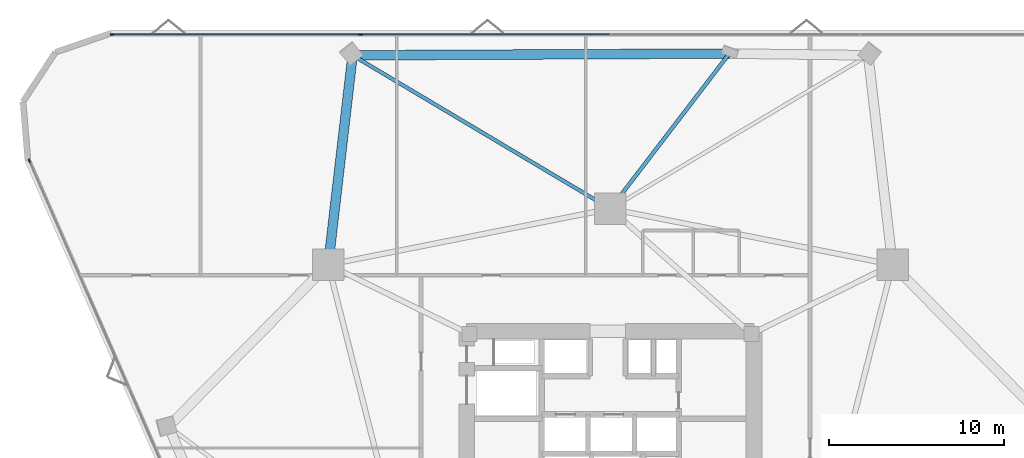
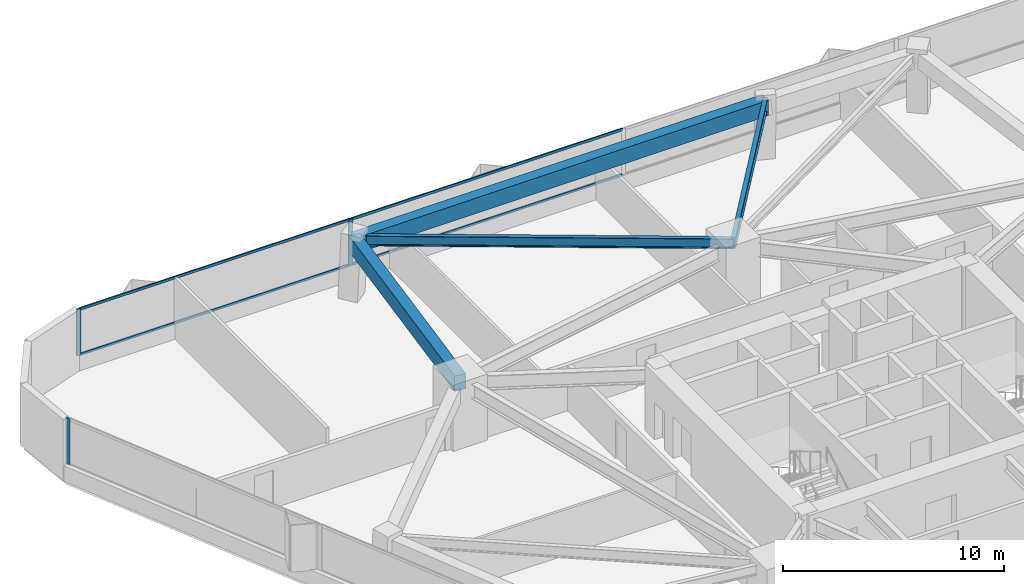
# One storey, part 7 of 14: 7 members, 4 beams, 2 elements without a shape of their own.
"""IFC4 building model written with IfcOpenShell, lengths in metres."""

from ifc_helpers import new_model, si_unit, direction, frame, origin, origin_2d, place, context, subcontext, project, spatial, rectangle, i_section, extrude, material, layer, layer_set, material_profile, profile_set, type_object, element, aggregate, save


model = new_model("IFC4")

# Units and contexts
model_context = context("Model", 3, precision=1e-05, world=origin(), true_north=direction((0.0, 1.0)))
body_context = subcontext(model_context, "Body", "Model", "MODEL_VIEW")
ifc_project = project(units=[si_unit("LENGTHUNIT", "METRE"), si_unit("AREAUNIT", "SQUARE_METRE"), si_unit("VOLUMEUNIT", "CUBIC_METRE"), si_unit("PLANEANGLEUNIT", "RADIAN"), si_unit("MASSUNIT", "GRAM", prefix="KILO")], contexts=[model_context])

# Site, building, storey
site_placement = place(None, origin())
site = spatial("IfcSite", under=ifc_project, at=site_placement, CompositionType="ELEMENT")
building_placement = place(site_placement, origin())
building = spatial("IfcBuilding", under=site, at=building_placement, Name="Talyreon Biosciences Tower", CompositionType="ELEMENT")
storey_placement = place(building_placement, frame((0.0, 0.0, 48.35009765625)))
storey = spatial("IfcBuildingStorey", under=building, at=storey_placement, Name="L12", CompositionType="ELEMENT", Elevation=48.35009765625)

# Curtain wall, members
ifc_material_1 = material(Name="Thermally broken aluminium and low-E glazing", Category="aluminium")
ifc_layer = layer(ifc_material_1, 0.205078125)
ifc_layer_set = layer_set([ifc_layer], Name="Thermally broken aluminium and low-E glazing")
curtain_wall_type = type_object("IfcCurtainWallType", Name="CurtainWall_SkyGardenLoggia", PredefinedType="NOTDEFINED", material=ifc_layer_set)
curtain_wall_1_placement = place(storey_placement, origin())
curtain_wall_1 = element("IfcCurtainWall", 1, at=curtain_wall_1_placement, inside=storey, type_object=curtain_wall_type, Name="L12 Unitised Curtain Wall FCW-L12-03", PredefinedType="NOTDEFINED")
ifc_material_2 = material(Name="Anodised thermally broken aluminium", Category="aluminium")
ifc_material_profile_1 = material_profile(ifc_material_2, rectangle(XDim=0.074951171875, YDim=0.2099609375, at=origin_2d()), Name="ALUM MULLION 75x210")
ifc_profile_set_1 = profile_set([ifc_material_profile_1], Name="Anodised thermally broken aluminium")
member_type_1 = type_object("IfcMemberType", Name="CWMullion_75x210", PredefinedType="MULLION", material=ifc_profile_set_1)
member_1_placement = place(storey_placement, frame((37.556640625, 91.74072265625, 0.809814453125), z_axis=(0.0, 0.0, 1.0), x_axis=(0.0, 1.0, 0.0)))
member_1 = element("IfcMember", 2, at=member_1_placement, type_object=member_type_1, Name="CW7 mullion 1", PredefinedType="MULLION", context=body_context, shape_type="SweptSolid", body=[
    extrude(rectangle(XDim=0.074951171875, YDim=0.2099609375, at=origin_2d()), origin(), (0.0, 0.0, 1.0), 2.565185546875),
])
member_2_placement = place(storey_placement, frame((51.759521484375, 91.74072265625, 0.809814453125), z_axis=(0.0, 0.0, 1.0), x_axis=(0.0, 1.0, 0.0)))
member_2 = element("IfcMember", 3, at=member_2_placement, type_object=member_type_1, Name="CW7 mullion 2", PredefinedType="MULLION", context=body_context, shape_type="SweptSolid", body=[
    extrude(rectangle(XDim=0.074951171875, YDim=0.2099609375, at=origin_2d()), origin(), (0.0, 0.0, 1.0), 2.565185546875),
])

# Curtain wall, member
curtain_wall_2_placement = place(storey_placement, origin())
curtain_wall_2 = element("IfcCurtainWall", 4, at=curtain_wall_2_placement, inside=storey, type_object=curtain_wall_type, Name="L12 Unitised Curtain Wall FCW-L12-15", PredefinedType="NOTDEFINED")
member_3_placement = place(storey_placement, frame((32.84423828125, 84.53271484375, 0.809814453125), z_axis=(0.0, 0.0, 1.0), x_axis=(-0.916035471245, -0.40109726429, 0.0)))
member_3 = element("IfcMember", 5, at=member_3_placement, type_object=member_type_1, Name="CW7 mullion 6", PredefinedType="MULLION", context=body_context, shape_type="SweptSolid", body=[
    extrude(rectangle(XDim=0.074951171875, YDim=0.2099609375, at=origin_2d()), origin(), (0.0, 0.0, 1.0), 2.565185546875),
])
aggregate(curtain_wall_2, [member_3])

# Member
ifc_material_profile_2 = material_profile(ifc_material_2, rectangle(XDim=0.06494140625, YDim=0.139892578125, at=origin_2d()), Name="ALUM TRANSOM 65x140")
ifc_profile_set_2 = profile_set([ifc_material_profile_2], Name="Anodised thermally broken aluminium")
member_type_2 = type_object("IfcMemberType", Name="CWTransom_65x140", PredefinedType="USERDEFINED", material=ifc_profile_set_2)
member_4_placement = place(storey_placement, frame((37.59423828125, 91.74072265625, 0.84228515625), z_axis=(1.0, 0.0, 0.0), x_axis=(0.0, 1.0, 0.0)))
member_4 = element("IfcMember", 6, at=member_4_placement, type_object=member_type_2, Name="CW7 transom 1.1", ObjectType="TRANSOM", PredefinedType="USERDEFINED", context=body_context, shape_type="SweptSolid", body=[
    extrude(rectangle(XDim=0.06494140625, YDim=0.139892578125, at=origin_2d()), origin(), (0.0, 0.0, 1.0), 14.1279296875),
])

member_5_placement = place(storey_placement, frame((37.59423828125, 91.74072265625, 3.34228515625), z_axis=(1.0, 0.0, 0.0), x_axis=(0.0, 1.0, 0.0)))
member_5 = element("IfcMember", 7, at=member_5_placement, type_object=member_type_2, Name="CW7 transom 1.2", ObjectType="TRANSOM", PredefinedType="USERDEFINED", context=body_context, shape_type="SweptSolid", body=[
    extrude(rectangle(XDim=0.06494140625, YDim=0.139892578125, at=origin_2d()), origin(), (0.0, 0.0, 1.0), 14.1279296875),
])

member_6_placement = place(storey_placement, frame((51.797119140625, 91.74072265625, 0.84228515625), z_axis=(1.0, 0.0, 0.0), x_axis=(0.0, 1.0, 0.0)))
member_6 = element("IfcMember", 8, at=member_6_placement, type_object=member_type_2, Name="CW7 transom 2.1", ObjectType="TRANSOM", PredefinedType="USERDEFINED", context=body_context, shape_type="SweptSolid", body=[
    extrude(rectangle(XDim=0.06494140625, YDim=0.139892578125, at=origin_2d()), origin(), (0.0, 0.0, 1.0), 14.165283203125),
])

member_7_placement = place(storey_placement, frame((51.797119140625, 91.74072265625, 3.34228515625), z_axis=(1.0, 0.0, 0.0), x_axis=(0.0, 1.0, 0.0)))
member_7 = element("IfcMember", 9, at=member_7_placement, type_object=member_type_2, Name="CW7 transom 2.2", ObjectType="TRANSOM", PredefinedType="USERDEFINED", context=body_context, shape_type="SweptSolid", body=[
    extrude(rectangle(XDim=0.06494140625, YDim=0.139892578125, at=origin_2d()), origin(), (0.0, 0.0, 1.0), 14.165283203125),
])

aggregate(curtain_wall_1, [member_1, member_2, member_4, member_5, member_6, member_7])

# Beams
ifc_material_3 = material(Name="Precast concrete C45/55", Category="concrete")
ifc_material_profile_3 = material_profile(ifc_material_3, rectangle(XDim=0.550048828125, YDim=0.85009765625, at=origin_2d()), Name="RCB 550x850")
ifc_profile_set_3 = profile_set([ifc_material_profile_3], Name="Precast concrete C45/55")
beam_type_1 = type_object("IfcBeamType", Name="ExpressedSpandrel_550x850", PredefinedType="SPANDREL", material=ifc_profile_set_3)
beam_1_placement = place(storey_placement, frame((72.790283203125, 90.6484375, 2.949951171875), z_axis=(-0.999989164597, -0.004655178744, 0.0), x_axis=(0.004655178744, -0.999989164597, 0.0)))
element("IfcBeam", 10, at=beam_1_placement, inside=storey, type_object=beam_type_1, Name="L12 Expressed Horizontal Concrete Spandrel 07", PredefinedType="SPANDREL", context=body_context, shape_type="SweptSolid", body=[
    extrude(rectangle(XDim=0.550048828125, YDim=0.85009765625, at=origin_2d()), origin(), (0.0, 0.0, 1.0), 21.50244140625),
])
beam_2_placement = place(storey_placement, frame((51.2880859375, 90.54833984375, 2.949951171875), z_axis=(-0.11557303396, -0.99329898511, 0.0), x_axis=(0.99329898511, -0.11557303396, 0.0)))
element("IfcBeam", 11, at=beam_2_placement, inside=storey, type_object=beam_type_1, Name="L12 Expressed Horizontal Concrete Spandrel 08", PredefinedType="SPANDREL", context=body_context, shape_type="SweptSolid", body=[
    extrude(rectangle(XDim=0.550048828125, YDim=0.85009765625, at=origin_2d()), origin(), (0.0, 0.0, 1.0), 12.0302734375),
])
ifc_material_4 = material(Name="Steel SM355", Category="steel")
ifc_material_profile_4 = material_profile(ifc_material_4, i_section(OverallWidth=0.2099609375, OverallDepth=0.550048828125, WebThickness=0.010986328125, FlangeThickness=0.01708984375, FilletRadius=0.02392578125, at=origin_2d()), Name="IPE550")
ifc_profile_set_4 = profile_set([ifc_material_profile_4], Name="Steel SM355")
beam_type_2 = type_object("IfcBeamType", Name="SteelJoist_IPE550", PredefinedType="JOIST", material=ifc_profile_set_4)
beam_3_placement = place(storey_placement, frame((66.0, 81.788818359375, 3.099853515625), z_axis=(-0.859230507309, 0.511588638761, 0.0), x_axis=(-0.511588638761, -0.859230507309, 0.0)))
element("IfcBeam", 12, at=beam_3_placement, inside=storey, type_object=beam_type_2, Name="L12 Radial Composite Floor Joist PC-N2", PredefinedType="JOIST", context=body_context, shape_type="SweptSolid", body=[
    extrude(i_section(OverallWidth=0.2099609375, OverallDepth=0.550048828125, WebThickness=0.010986328125, FlangeThickness=0.01708984375, FilletRadius=0.02392578125, at=origin_2d()), origin(), (0.0, 0.0, 1.0), 17.122314453125),
])
ifc_material_profile_5 = material_profile(ifc_material_4, i_section(OverallWidth=0.219970703125, OverallDepth=0.60009765625, WebThickness=0.011962890625, FlangeThickness=0.01904296875, FilletRadius=0.02392578125, at=origin_2d()), Name="IPE600")
ifc_profile_set_5 = profile_set([ifc_material_profile_5], Name="Steel SM355")
beam_type_3 = type_object("IfcBeamType", Name="SteelJoist_IPE600", PredefinedType="JOIST", material=ifc_profile_set_5)
beam_4_placement = place(storey_placement, frame((66.0, 81.788818359375, 3.074951171875), z_axis=(0.608313531555, 0.793696823306, 0.0), x_axis=(-0.793696823306, 0.608313531555, 0.0)))
element("IfcBeam", 13, at=beam_4_placement, inside=storey, type_object=beam_type_3, Name="L12 Radial Composite Floor Joist PL-N", PredefinedType="JOIST", context=body_context, shape_type="SweptSolid", body=[
    extrude(i_section(OverallWidth=0.219970703125, OverallDepth=0.60009765625, WebThickness=0.011962890625, FlangeThickness=0.01904296875, FilletRadius=0.02392578125, at=origin_2d()), origin(), (0.0, 0.0, 1.0), 11.162353515625),
])

save(model, "model.ifc")
